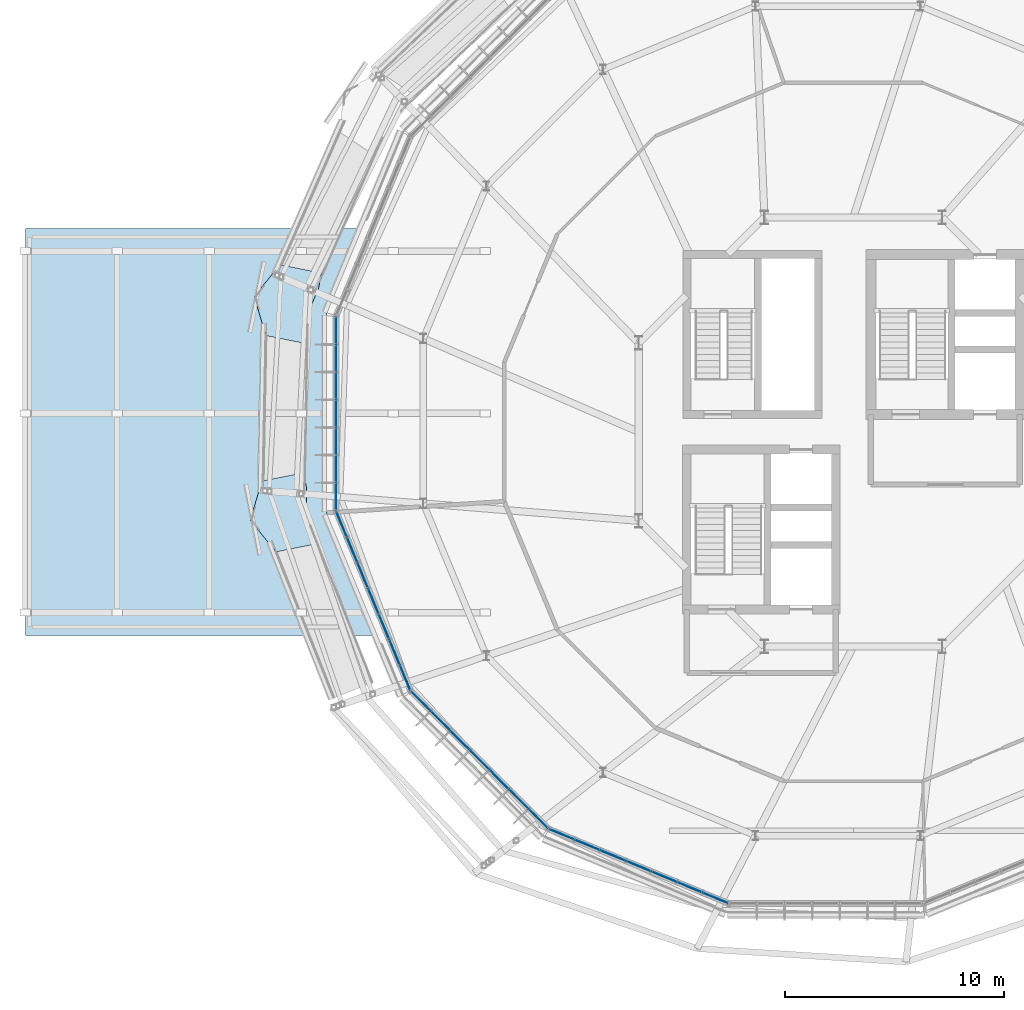
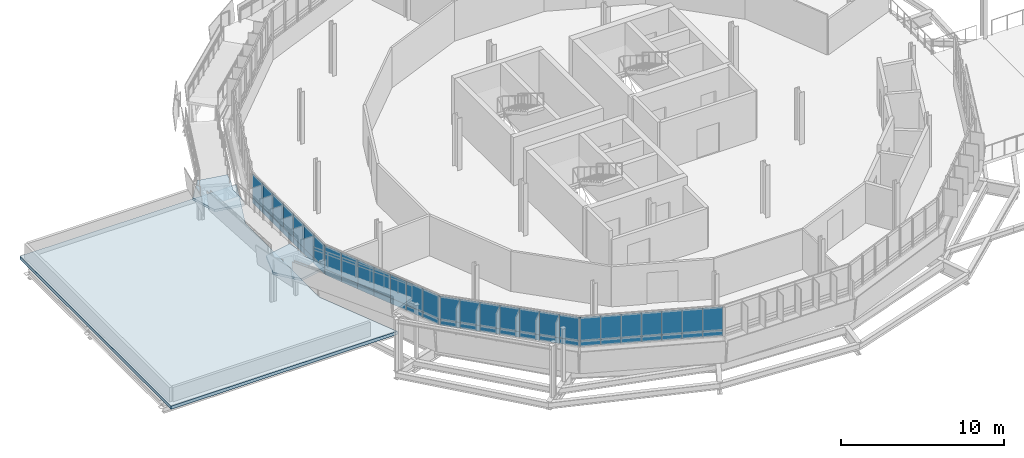
# One storey, part 40 of 61: 56 plates, 3 slabs, 6 elements without a shape of their own.
"""IFC4 building model written with IfcOpenShell, lengths in metres."""

from ifc_helpers import new_model, si_unit, derived_unit, direction, frame, origin, origin_2d, place, context, subcontext, project, spatial, polyline, rectangle, outline, extrude, material, layer, layer_set, type_object, element, aggregate, save


model = new_model("IFC4")

# Units and contexts
model_context = context("Model", 3, precision=1e-05, world=origin(), true_north=direction((0.0, 1.0)))
body_context = subcontext(model_context, "Body", "Model", "MODEL_VIEW")
ifc_project = project(units=[si_unit("LENGTHUNIT", "METRE"), si_unit("AREAUNIT", "SQUARE_METRE"), si_unit("VOLUMEUNIT", "CUBIC_METRE"), si_unit("PLANEANGLEUNIT", "RADIAN"), si_unit("MASSUNIT", "GRAM", prefix="KILO"), derived_unit("THERMALTRANSMITTANCEUNIT", [(si_unit("MASSUNIT", "GRAM", prefix="KILO"), 1), (si_unit("TIMEUNIT", "SECOND"), -3), (si_unit("THERMODYNAMICTEMPERATUREUNIT", "KELVIN"), -1)])], contexts=[model_context])

# Site, building, storey
site_placement = place(None, origin())
site = spatial("IfcSite", under=ifc_project, at=site_placement, CompositionType="ELEMENT")
building_placement = place(site_placement, origin())
building = spatial("IfcBuilding", under=site, at=building_placement, Name="Makaiwela Harbour Ferry Terminal", CompositionType="ELEMENT")
storey_placement = place(building_placement, frame((0.0, 0.0, 13.800048828125)))
storey = spatial("IfcBuildingStorey", under=building, at=storey_placement, Name="L03", CompositionType="ELEMENT", Elevation=13.800048828125)

# Curtain wall, plates
ifc_material_1 = material(Name="Marine anodised aluminium 6063-T6", Category="aluminium")
ifc_layer_1 = layer(ifc_material_1, 0.199951171875)
ifc_layer_set_1 = layer_set([ifc_layer_1], Name="Marine anodised aluminium 6063-T6")
curtain_wall_type = type_object("IfcCurtainWallType", Name="ENV-CW-05", PredefinedType="USERDEFINED", material=ifc_layer_set_1)
curtain_wall_1_placement = place(storey_placement, origin())
curtain_wall_1 = element("IfcCurtainWall", 1, at=curtain_wall_1_placement, inside=storey, type_object=curtain_wall_type, Name="Unitised Curtain Wall CWA-035", ObjectType="UNITIZED CURTAIN WALL", PredefinedType="USERDEFINED")
ifc_material_2 = material(Name="Laminated hurricane-impact low-E insulated glazing", Category="glass")
ifc_layer_2 = layer(ifc_material_2, 0.031982421875)
ifc_layer_set_2 = layer_set([ifc_layer_2], Name="Laminated hurricane-impact low-E insulated glazing")
plate_type_1 = type_object("IfcPlateType", Name="CW-PNL-G08", PredefinedType="CURTAIN_PANEL", material=ifc_layer_set_2)
plate_1_placement = place(storey_placement, frame((14.18798828125, 72.226806640625, 1.89990234375), z_axis=(0.0, 0.0, 1.0), x_axis=(0.0, -1.0, 0.0)))
plate_1 = element("IfcPlate", 2, at=plate_1_placement, type_object=plate_type_1, Name="Glazed Vision Panel CWA-035-1G", PredefinedType="CURTAIN_PANEL", context=body_context, shape_type="SweptSolid", body=[
    extrude(rectangle(XDim=1.26220703125, YDim=0.031982421875, at=origin_2d()), origin(), (0.0, 0.0, 1.0), 1.760009765625),
])
plate_2_placement = place(storey_placement, frame((14.18798828125, 70.964599609375, 1.89990234375), z_axis=(0.0, 0.0, 1.0), x_axis=(0.0, -1.0, 0.0)))
plate_2 = element("IfcPlate", 3, at=plate_2_placement, type_object=plate_type_1, Name="Glazed Vision Panel CWA-035-2G", PredefinedType="CURTAIN_PANEL", context=body_context, shape_type="SweptSolid", body=[
    extrude(rectangle(XDim=1.26220703125, YDim=0.031982421875, at=origin_2d()), origin(), (0.0, 0.0, 1.0), 1.760009765625),
])
plate_3_placement = place(storey_placement, frame((14.18798828125, 69.702392578125, 1.89990234375), z_axis=(0.0, 0.0, 1.0), x_axis=(0.0, -1.0, 0.0)))
plate_3 = element("IfcPlate", 4, at=plate_3_placement, type_object=plate_type_1, Name="Glazed Vision Panel CWA-035-3G", PredefinedType="CURTAIN_PANEL", context=body_context, shape_type="SweptSolid", body=[
    extrude(rectangle(XDim=1.26220703125, YDim=0.031982421875, at=origin_2d()), origin(), (0.0, 0.0, 1.0), 1.760009765625),
])
plate_4_placement = place(storey_placement, frame((14.18798828125, 68.43994140625, 1.89990234375), z_axis=(0.0, 0.0, 1.0), x_axis=(0.0, -1.0, 0.0)))
plate_4 = element("IfcPlate", 5, at=plate_4_placement, type_object=plate_type_1, Name="Glazed Vision Panel CWA-035-4G", PredefinedType="CURTAIN_PANEL", context=body_context, shape_type="SweptSolid", body=[
    extrude(rectangle(XDim=1.26220703125, YDim=0.031982421875, at=origin_2d()), origin(), (0.0, 0.0, 1.0), 1.760009765625),
])
plate_5_placement = place(storey_placement, frame((14.18798828125, 67.177734375, 1.89990234375), z_axis=(0.0, 0.0, 1.0), x_axis=(0.0, -1.0, 0.0)))
plate_5 = element("IfcPlate", 6, at=plate_5_placement, type_object=plate_type_1, Name="Glazed Vision Panel CWA-035-5G", PredefinedType="CURTAIN_PANEL", context=body_context, shape_type="SweptSolid", body=[
    extrude(rectangle(XDim=1.26220703125, YDim=0.031982421875, at=origin_2d()), origin(), (0.0, 0.0, 1.0), 1.760009765625),
])
plate_6_placement = place(storey_placement, frame((14.18798828125, 65.915283203125, 1.89990234375), z_axis=(0.0, 0.0, 1.0), x_axis=(0.0, -1.0, 0.0)))
plate_6 = element("IfcPlate", 7, at=plate_6_placement, type_object=plate_type_1, Name="Glazed Vision Panel CWA-035-6G", PredefinedType="CURTAIN_PANEL", context=body_context, shape_type="SweptSolid", body=[
    extrude(rectangle(XDim=1.26220703125, YDim=0.031982421875, at=origin_2d()), origin(), (0.0, 0.0, 1.0), 1.760009765625),
])
plate_7_placement = place(storey_placement, frame((14.18798828125, 64.653076171875, 1.89990234375), z_axis=(0.0, 0.0, 1.0), x_axis=(0.0, -1.0, 0.0)))
plate_7 = element("IfcPlate", 8, at=plate_7_placement, type_object=plate_type_1, Name="Glazed Vision Panel CWA-035-7G", PredefinedType="CURTAIN_PANEL", context=body_context, shape_type="SweptSolid", body=[
    extrude(rectangle(XDim=1.26220703125, YDim=0.031982421875, at=origin_2d()), origin(), (0.0, 0.0, 1.0), 1.760009765625),
])

curtain_wall_2_placement = place(storey_placement, origin())
curtain_wall_2 = element("IfcCurtainWall", 9, at=curtain_wall_2_placement, inside=storey, type_object=curtain_wall_type, Name="Unitised Curtain Wall CWA-036", ObjectType="UNITIZED CURTAIN WALL", PredefinedType="USERDEFINED")
plate_8_placement = place(storey_placement, frame((14.441162109375, 63.381103515625, 1.89990234375), z_axis=(0.0, 0.0, 1.0), x_axis=(0.382683432365, -0.923879532511, 0.0)))
plate_8 = element("IfcPlate", 10, at=plate_8_placement, type_object=plate_type_1, Name="Glazed Vision Panel CWA-036-1G", PredefinedType="CURTAIN_PANEL", context=body_context, shape_type="SweptSolid", body=[
    extrude(rectangle(XDim=1.26220703125, YDim=0.031982421875, at=origin_2d()), origin(), (0.0, 0.0, 1.0), 1.760009765625),
])
plate_9_placement = place(storey_placement, frame((14.92431640625, 62.21484375, 1.89990234375), z_axis=(0.0, 0.0, 1.0), x_axis=(0.382683432365, -0.923879532511, 0.0)))
plate_9 = element("IfcPlate", 11, at=plate_9_placement, type_object=plate_type_1, Name="Glazed Vision Panel CWA-036-2G", PredefinedType="CURTAIN_PANEL", context=body_context, shape_type="SweptSolid", body=[
    extrude(rectangle(XDim=1.26220703125, YDim=0.031982421875, at=origin_2d()), origin(), (0.0, 0.0, 1.0), 1.760009765625),
])
plate_10_placement = place(storey_placement, frame((15.4072265625, 61.048583984375, 1.89990234375), z_axis=(0.0, 0.0, 1.0), x_axis=(0.382683432365, -0.923879532511, 0.0)))
plate_10 = element("IfcPlate", 12, at=plate_10_placement, type_object=plate_type_1, Name="Glazed Vision Panel CWA-036-3G", PredefinedType="CURTAIN_PANEL", context=body_context, shape_type="SweptSolid", body=[
    extrude(rectangle(XDim=1.26220703125, YDim=0.031982421875, at=origin_2d()), origin(), (0.0, 0.0, 1.0), 1.760009765625),
])
plate_11_placement = place(storey_placement, frame((15.890380859375, 59.88232421875, 1.89990234375), z_axis=(0.0, 0.0, 1.0), x_axis=(0.382683432365, -0.923879532511, 0.0)))
plate_11 = element("IfcPlate", 13, at=plate_11_placement, type_object=plate_type_1, Name="Glazed Vision Panel CWA-036-4G", PredefinedType="CURTAIN_PANEL", context=body_context, shape_type="SweptSolid", body=[
    extrude(rectangle(XDim=1.26220703125, YDim=0.031982421875, at=origin_2d()), origin(), (0.0, 0.0, 1.0), 1.760009765625),
])
plate_12_placement = place(storey_placement, frame((16.373291015625, 58.71630859375, 1.89990234375), z_axis=(0.0, 0.0, 1.0), x_axis=(0.382683432365, -0.923879532511, 0.0)))
plate_12 = element("IfcPlate", 14, at=plate_12_placement, type_object=plate_type_1, Name="Glazed Vision Panel CWA-036-5G", PredefinedType="CURTAIN_PANEL", context=body_context, shape_type="SweptSolid", body=[
    extrude(rectangle(XDim=1.26220703125, YDim=0.031982421875, at=origin_2d()), origin(), (0.0, 0.0, 1.0), 1.760009765625),
])
plate_13_placement = place(storey_placement, frame((16.8564453125, 57.550048828125, 1.89990234375), z_axis=(0.0, 0.0, 1.0), x_axis=(0.382683432365, -0.923879532511, 0.0)))
plate_13 = element("IfcPlate", 15, at=plate_13_placement, type_object=plate_type_1, Name="Glazed Vision Panel CWA-036-6G", PredefinedType="CURTAIN_PANEL", context=body_context, shape_type="SweptSolid", body=[
    extrude(rectangle(XDim=1.26220703125, YDim=0.031982421875, at=origin_2d()), origin(), (0.0, 0.0, 1.0), 1.760009765625),
])
plate_14_placement = place(storey_placement, frame((17.339599609375, 56.3837890625, 1.89990234375), z_axis=(0.0, 0.0, 1.0), x_axis=(0.382683432365, -0.923879532511, 0.0)))
plate_14 = element("IfcPlate", 16, at=plate_14_placement, type_object=plate_type_1, Name="Glazed Vision Panel CWA-036-7G", PredefinedType="CURTAIN_PANEL", context=body_context, shape_type="SweptSolid", body=[
    extrude(rectangle(XDim=1.26220703125, YDim=0.031982421875, at=origin_2d()), origin(), (0.0, 0.0, 1.0), 1.760009765625),
])

curtain_wall_3_placement = place(storey_placement, origin())
curtain_wall_3 = element("IfcCurtainWall", 17, at=curtain_wall_3_placement, inside=storey, type_object=curtain_wall_type, Name="Unitised Curtain Wall CWA-037", ObjectType="UNITIZED CURTAIN WALL", PredefinedType="USERDEFINED")
plate_15_placement = place(storey_placement, frame((18.06005859375, 55.305419921875, 1.89990234375), z_axis=(0.0, 0.0, 1.0), x_axis=(0.707106781187, -0.707106781187, 0.0)))
plate_15 = element("IfcPlate", 18, at=plate_15_placement, type_object=plate_type_1, Name="Glazed Vision Panel CWA-037-1G", PredefinedType="CURTAIN_PANEL", context=body_context, shape_type="SweptSolid", body=[
    extrude(rectangle(XDim=1.26220703125, YDim=0.031982421875, at=origin_2d()), origin(), (0.0, 0.0, 1.0), 1.760009765625),
])
plate_16_placement = place(storey_placement, frame((18.95263671875, 54.412841796875, 1.89990234375), z_axis=(0.0, 0.0, 1.0), x_axis=(0.707106781187, -0.707106781187, 0.0)))
plate_16 = element("IfcPlate", 19, at=plate_16_placement, type_object=plate_type_1, Name="Glazed Vision Panel CWA-037-2G", PredefinedType="CURTAIN_PANEL", context=body_context, shape_type="SweptSolid", body=[
    extrude(rectangle(XDim=1.26220703125, YDim=0.031982421875, at=origin_2d()), origin(), (0.0, 0.0, 1.0), 1.760009765625),
])
plate_17_placement = place(storey_placement, frame((19.84521484375, 53.520263671875, 1.89990234375), z_axis=(0.0, 0.0, 1.0), x_axis=(0.707106781187, -0.707106781187, 0.0)))
plate_17 = element("IfcPlate", 20, at=plate_17_placement, type_object=plate_type_1, Name="Glazed Vision Panel CWA-037-3G", PredefinedType="CURTAIN_PANEL", context=body_context, shape_type="SweptSolid", body=[
    extrude(rectangle(XDim=1.26220703125, YDim=0.031982421875, at=origin_2d()), origin(), (0.0, 0.0, 1.0), 1.760009765625),
])
plate_18_placement = place(storey_placement, frame((20.73779296875, 52.627685546875, 1.89990234375), z_axis=(0.0, 0.0, 1.0), x_axis=(0.707106781187, -0.707106781187, 0.0)))
plate_18 = element("IfcPlate", 21, at=plate_18_placement, type_object=plate_type_1, Name="Glazed Vision Panel CWA-037-4G", PredefinedType="CURTAIN_PANEL", context=body_context, shape_type="SweptSolid", body=[
    extrude(rectangle(XDim=1.26220703125, YDim=0.031982421875, at=origin_2d()), origin(), (0.0, 0.0, 1.0), 1.760009765625),
])
plate_19_placement = place(storey_placement, frame((21.63037109375, 51.735107421875, 1.89990234375), z_axis=(0.0, 0.0, 1.0), x_axis=(0.707106781187, -0.707106781187, 0.0)))
plate_19 = element("IfcPlate", 22, at=plate_19_placement, type_object=plate_type_1, Name="Glazed Vision Panel CWA-037-5G", PredefinedType="CURTAIN_PANEL", context=body_context, shape_type="SweptSolid", body=[
    extrude(rectangle(XDim=1.26220703125, YDim=0.031982421875, at=origin_2d()), origin(), (0.0, 0.0, 1.0), 1.760009765625),
])
plate_20_placement = place(storey_placement, frame((22.52294921875, 50.842529296875, 1.89990234375), z_axis=(0.0, 0.0, 1.0), x_axis=(0.707106781187, -0.707106781187, 0.0)))
plate_20 = element("IfcPlate", 23, at=plate_20_placement, type_object=plate_type_1, Name="Glazed Vision Panel CWA-037-6G", PredefinedType="CURTAIN_PANEL", context=body_context, shape_type="SweptSolid", body=[
    extrude(rectangle(XDim=1.26220703125, YDim=0.031982421875, at=origin_2d()), origin(), (0.0, 0.0, 1.0), 1.760009765625),
])
plate_21_placement = place(storey_placement, frame((23.41552734375, 49.949951171875, 1.89990234375), z_axis=(0.0, 0.0, 1.0), x_axis=(0.707106781187, -0.707106781187, 0.0)))
plate_21 = element("IfcPlate", 24, at=plate_21_placement, type_object=plate_type_1, Name="Glazed Vision Panel CWA-037-7G", PredefinedType="CURTAIN_PANEL", context=body_context, shape_type="SweptSolid", body=[
    extrude(rectangle(XDim=1.26220703125, YDim=0.031982421875, at=origin_2d()), origin(), (0.0, 0.0, 1.0), 1.760009765625),
])

curtain_wall_4_placement = place(storey_placement, origin())
curtain_wall_4 = element("IfcCurtainWall", 25, at=curtain_wall_4_placement, inside=storey, type_object=curtain_wall_type, Name="Unitised Curtain Wall CWA-038", ObjectType="UNITIZED CURTAIN WALL", PredefinedType="USERDEFINED")
plate_22_placement = place(storey_placement, frame((24.493896484375, 49.2294921875, 1.89990234375), z_axis=(0.0, 0.0, 1.0), x_axis=(0.923879532511, -0.382683432365, 0.0)))
plate_22 = element("IfcPlate", 26, at=plate_22_placement, type_object=plate_type_1, Name="Glazed Vision Panel CWA-038-1G", PredefinedType="CURTAIN_PANEL", context=body_context, shape_type="SweptSolid", body=[
    extrude(rectangle(XDim=1.26220703125, YDim=0.031982421875, at=origin_2d()), origin(), (0.0, 0.0, 1.0), 1.760009765625),
])
plate_23_placement = place(storey_placement, frame((25.659912109375, 48.746337890625, 1.89990234375), z_axis=(0.0, 0.0, 1.0), x_axis=(0.923879532511, -0.382683432365, 0.0)))
plate_23 = element("IfcPlate", 27, at=plate_23_placement, type_object=plate_type_1, Name="Glazed Vision Panel CWA-038-2G", PredefinedType="CURTAIN_PANEL", context=body_context, shape_type="SweptSolid", body=[
    extrude(rectangle(XDim=1.26220703125, YDim=0.031982421875, at=origin_2d()), origin(), (0.0, 0.0, 1.0), 1.760009765625),
])
plate_24_placement = place(storey_placement, frame((26.826171875, 48.263427734375, 1.89990234375), z_axis=(0.0, 0.0, 1.0), x_axis=(0.923879532511, -0.382683432365, 0.0)))
plate_24 = element("IfcPlate", 28, at=plate_24_placement, type_object=plate_type_1, Name="Glazed Vision Panel CWA-038-3G", PredefinedType="CURTAIN_PANEL", context=body_context, shape_type="SweptSolid", body=[
    extrude(rectangle(XDim=1.26220703125, YDim=0.031982421875, at=origin_2d()), origin(), (0.0, 0.0, 1.0), 1.760009765625),
])
plate_25_placement = place(storey_placement, frame((27.992431640625, 47.7802734375, 1.89990234375), z_axis=(0.0, 0.0, 1.0), x_axis=(0.923879532511, -0.382683432365, 0.0)))
plate_25 = element("IfcPlate", 29, at=plate_25_placement, type_object=plate_type_1, Name="Glazed Vision Panel CWA-038-4G", PredefinedType="CURTAIN_PANEL", context=body_context, shape_type="SweptSolid", body=[
    extrude(rectangle(XDim=1.26220703125, YDim=0.031982421875, at=origin_2d()), origin(), (0.0, 0.0, 1.0), 1.760009765625),
])
plate_26_placement = place(storey_placement, frame((29.15869140625, 47.297119140625, 1.89990234375), z_axis=(0.0, 0.0, 1.0), x_axis=(0.923879532511, -0.382683432365, 0.0)))
plate_26 = element("IfcPlate", 30, at=plate_26_placement, type_object=plate_type_1, Name="Glazed Vision Panel CWA-038-5G", PredefinedType="CURTAIN_PANEL", context=body_context, shape_type="SweptSolid", body=[
    extrude(rectangle(XDim=1.26220703125, YDim=0.031982421875, at=origin_2d()), origin(), (0.0, 0.0, 1.0), 1.760009765625),
])
plate_27_placement = place(storey_placement, frame((30.324951171875, 46.814208984375, 1.89990234375), z_axis=(0.0, 0.0, 1.0), x_axis=(0.923879532511, -0.382683432365, 0.0)))
plate_27 = element("IfcPlate", 31, at=plate_27_placement, type_object=plate_type_1, Name="Glazed Vision Panel CWA-038-6G", PredefinedType="CURTAIN_PANEL", context=body_context, shape_type="SweptSolid", body=[
    extrude(rectangle(XDim=1.26220703125, YDim=0.031982421875, at=origin_2d()), origin(), (0.0, 0.0, 1.0), 1.760009765625),
])
plate_28_placement = place(storey_placement, frame((31.4912109375, 46.3310546875, 1.89990234375), z_axis=(0.0, 0.0, 1.0), x_axis=(0.923879532511, -0.382683432365, 0.0)))
plate_28 = element("IfcPlate", 32, at=plate_28_placement, type_object=plate_type_1, Name="Glazed Vision Panel CWA-038-7G", PredefinedType="CURTAIN_PANEL", context=body_context, shape_type="SweptSolid", body=[
    extrude(rectangle(XDim=1.26220703125, YDim=0.031982421875, at=origin_2d()), origin(), (0.0, 0.0, 1.0), 1.760009765625),
])

# Plate
ifc_material_3 = material(Name="Insulated marine aluminium spandrel panel", Category="aluminium")
ifc_layer_3 = layer(ifc_material_3, 0.048095703125)
ifc_layer_set_3 = layer_set([ifc_layer_3], Name="Insulated marine aluminium spandrel panel")
plate_type_2 = type_object("IfcPlateType", Name="CW-PNL-S07", PredefinedType="CURTAIN_PANEL", material=ifc_layer_set_3)
plate_29_placement = place(storey_placement, frame((14.18798828125, 72.226806640625, 1.47998046875), z_axis=(0.0, 0.0, 1.0), x_axis=(0.0, -1.0, 0.0)))
plate_29 = element("IfcPlate", 33, at=plate_29_placement, type_object=plate_type_2, Name="Spandrel Panel CWA-035-1S", PredefinedType="CURTAIN_PANEL", context=body_context, shape_type="SweptSolid", body=[
    extrude(rectangle(XDim=1.26220703125, YDim=0.048095703125, at=origin_2d()), origin(), (0.0, 0.0, 1.0), 0.419921875),
])

plate_30_placement = place(storey_placement, frame((14.18798828125, 70.964599609375, 1.47998046875), z_axis=(0.0, 0.0, 1.0), x_axis=(0.0, -1.0, 0.0)))
plate_30 = element("IfcPlate", 34, at=plate_30_placement, type_object=plate_type_2, Name="Spandrel Panel CWA-035-2S", PredefinedType="CURTAIN_PANEL", context=body_context, shape_type="SweptSolid", body=[
    extrude(rectangle(XDim=1.26220703125, YDim=0.048095703125, at=origin_2d()), origin(), (0.0, 0.0, 1.0), 0.419921875),
])

plate_31_placement = place(storey_placement, frame((14.18798828125, 69.702392578125, 1.47998046875), z_axis=(0.0, 0.0, 1.0), x_axis=(0.0, -1.0, 0.0)))
plate_31 = element("IfcPlate", 35, at=plate_31_placement, type_object=plate_type_2, Name="Spandrel Panel CWA-035-3S", PredefinedType="CURTAIN_PANEL", context=body_context, shape_type="SweptSolid", body=[
    extrude(rectangle(XDim=1.26220703125, YDim=0.048095703125, at=origin_2d()), origin(), (0.0, 0.0, 1.0), 0.419921875),
])

plate_32_placement = place(storey_placement, frame((14.18798828125, 68.43994140625, 1.47998046875), z_axis=(0.0, 0.0, 1.0), x_axis=(0.0, -1.0, 0.0)))
plate_32 = element("IfcPlate", 36, at=plate_32_placement, type_object=plate_type_2, Name="Spandrel Panel CWA-035-4S", PredefinedType="CURTAIN_PANEL", context=body_context, shape_type="SweptSolid", body=[
    extrude(rectangle(XDim=1.26220703125, YDim=0.048095703125, at=origin_2d()), origin(), (0.0, 0.0, 1.0), 0.419921875),
])

plate_33_placement = place(storey_placement, frame((14.18798828125, 67.177734375, 1.47998046875), z_axis=(0.0, 0.0, 1.0), x_axis=(0.0, -1.0, 0.0)))
plate_33 = element("IfcPlate", 37, at=plate_33_placement, type_object=plate_type_2, Name="Spandrel Panel CWA-035-5S", PredefinedType="CURTAIN_PANEL", context=body_context, shape_type="SweptSolid", body=[
    extrude(rectangle(XDim=1.26220703125, YDim=0.048095703125, at=origin_2d()), origin(), (0.0, 0.0, 1.0), 0.419921875),
])

plate_34_placement = place(storey_placement, frame((14.18798828125, 65.915283203125, 1.47998046875), z_axis=(0.0, 0.0, 1.0), x_axis=(0.0, -1.0, 0.0)))
plate_34 = element("IfcPlate", 38, at=plate_34_placement, type_object=plate_type_2, Name="Spandrel Panel CWA-035-6S", PredefinedType="CURTAIN_PANEL", context=body_context, shape_type="SweptSolid", body=[
    extrude(rectangle(XDim=1.26220703125, YDim=0.048095703125, at=origin_2d()), origin(), (0.0, 0.0, 1.0), 0.419921875),
])

plate_35_placement = place(storey_placement, frame((14.18798828125, 64.653076171875, 1.47998046875), z_axis=(0.0, 0.0, 1.0), x_axis=(0.0, -1.0, 0.0)))
plate_35 = element("IfcPlate", 39, at=plate_35_placement, type_object=plate_type_2, Name="Spandrel Panel CWA-035-7S", PredefinedType="CURTAIN_PANEL", context=body_context, shape_type="SweptSolid", body=[
    extrude(rectangle(XDim=1.26220703125, YDim=0.048095703125, at=origin_2d()), origin(), (0.0, 0.0, 1.0), 0.419921875),
])

aggregate(curtain_wall_1, [plate_29, plate_1, plate_30, plate_2, plate_31, plate_3, plate_32, plate_4, plate_33, plate_5, plate_34, plate_6, plate_35, plate_7])

plate_36_placement = place(storey_placement, frame((14.441162109375, 63.381103515625, 1.47998046875), z_axis=(0.0, 0.0, 1.0), x_axis=(0.382683432365, -0.923879532511, 0.0)))
plate_36 = element("IfcPlate", 40, at=plate_36_placement, type_object=plate_type_2, Name="Spandrel Panel CWA-036-1S", PredefinedType="CURTAIN_PANEL", context=body_context, shape_type="SweptSolid", body=[
    extrude(rectangle(XDim=1.26220703125, YDim=0.048095703125, at=origin_2d()), origin(), (0.0, 0.0, 1.0), 0.419921875),
])

plate_37_placement = place(storey_placement, frame((14.92431640625, 62.21484375, 1.47998046875), z_axis=(0.0, 0.0, 1.0), x_axis=(0.382683432365, -0.923879532511, 0.0)))
plate_37 = element("IfcPlate", 41, at=plate_37_placement, type_object=plate_type_2, Name="Spandrel Panel CWA-036-2S", PredefinedType="CURTAIN_PANEL", context=body_context, shape_type="SweptSolid", body=[
    extrude(rectangle(XDim=1.26220703125, YDim=0.048095703125, at=origin_2d()), origin(), (0.0, 0.0, 1.0), 0.419921875),
])

plate_38_placement = place(storey_placement, frame((15.4072265625, 61.048583984375, 1.47998046875), z_axis=(0.0, 0.0, 1.0), x_axis=(0.382683432365, -0.923879532511, 0.0)))
plate_38 = element("IfcPlate", 42, at=plate_38_placement, type_object=plate_type_2, Name="Spandrel Panel CWA-036-3S", PredefinedType="CURTAIN_PANEL", context=body_context, shape_type="SweptSolid", body=[
    extrude(rectangle(XDim=1.26220703125, YDim=0.048095703125, at=origin_2d()), origin(), (0.0, 0.0, 1.0), 0.419921875),
])

plate_39_placement = place(storey_placement, frame((15.890380859375, 59.88232421875, 1.47998046875), z_axis=(0.0, 0.0, 1.0), x_axis=(0.382683432365, -0.923879532511, 0.0)))
plate_39 = element("IfcPlate", 43, at=plate_39_placement, type_object=plate_type_2, Name="Spandrel Panel CWA-036-4S", PredefinedType="CURTAIN_PANEL", context=body_context, shape_type="SweptSolid", body=[
    extrude(rectangle(XDim=1.26220703125, YDim=0.048095703125, at=origin_2d()), origin(), (0.0, 0.0, 1.0), 0.419921875),
])

plate_40_placement = place(storey_placement, frame((16.373291015625, 58.71630859375, 1.47998046875), z_axis=(0.0, 0.0, 1.0), x_axis=(0.382683432365, -0.923879532511, 0.0)))
plate_40 = element("IfcPlate", 44, at=plate_40_placement, type_object=plate_type_2, Name="Spandrel Panel CWA-036-5S", PredefinedType="CURTAIN_PANEL", context=body_context, shape_type="SweptSolid", body=[
    extrude(rectangle(XDim=1.26220703125, YDim=0.048095703125, at=origin_2d()), origin(), (0.0, 0.0, 1.0), 0.419921875),
])

plate_41_placement = place(storey_placement, frame((16.8564453125, 57.550048828125, 1.47998046875), z_axis=(0.0, 0.0, 1.0), x_axis=(0.382683432365, -0.923879532511, 0.0)))
plate_41 = element("IfcPlate", 45, at=plate_41_placement, type_object=plate_type_2, Name="Spandrel Panel CWA-036-6S", PredefinedType="CURTAIN_PANEL", context=body_context, shape_type="SweptSolid", body=[
    extrude(rectangle(XDim=1.26220703125, YDim=0.048095703125, at=origin_2d()), origin(), (0.0, 0.0, 1.0), 0.419921875),
])

plate_42_placement = place(storey_placement, frame((17.339599609375, 56.3837890625, 1.47998046875), z_axis=(0.0, 0.0, 1.0), x_axis=(0.382683432365, -0.923879532511, 0.0)))
plate_42 = element("IfcPlate", 46, at=plate_42_placement, type_object=plate_type_2, Name="Spandrel Panel CWA-036-7S", PredefinedType="CURTAIN_PANEL", context=body_context, shape_type="SweptSolid", body=[
    extrude(rectangle(XDim=1.26220703125, YDim=0.048095703125, at=origin_2d()), origin(), (0.0, 0.0, 1.0), 0.419921875),
])

aggregate(curtain_wall_2, [plate_36, plate_8, plate_37, plate_9, plate_38, plate_10, plate_39, plate_11, plate_40, plate_12, plate_41, plate_13, plate_42, plate_14])

plate_43_placement = place(storey_placement, frame((18.06005859375, 55.305419921875, 1.47998046875), z_axis=(0.0, 0.0, 1.0), x_axis=(0.707106781187, -0.707106781187, 0.0)))
plate_43 = element("IfcPlate", 47, at=plate_43_placement, type_object=plate_type_2, Name="Spandrel Panel CWA-037-1S", PredefinedType="CURTAIN_PANEL", context=body_context, shape_type="SweptSolid", body=[
    extrude(rectangle(XDim=1.26220703125, YDim=0.048095703125, at=origin_2d()), origin(), (0.0, 0.0, 1.0), 0.419921875),
])

plate_44_placement = place(storey_placement, frame((18.95263671875, 54.412841796875, 1.47998046875), z_axis=(0.0, 0.0, 1.0), x_axis=(0.707106781187, -0.707106781187, 0.0)))
plate_44 = element("IfcPlate", 48, at=plate_44_placement, type_object=plate_type_2, Name="Spandrel Panel CWA-037-2S", PredefinedType="CURTAIN_PANEL", context=body_context, shape_type="SweptSolid", body=[
    extrude(rectangle(XDim=1.26220703125, YDim=0.048095703125, at=origin_2d()), origin(), (0.0, 0.0, 1.0), 0.419921875),
])

plate_45_placement = place(storey_placement, frame((19.84521484375, 53.520263671875, 1.47998046875), z_axis=(0.0, 0.0, 1.0), x_axis=(0.707106781187, -0.707106781187, 0.0)))
plate_45 = element("IfcPlate", 49, at=plate_45_placement, type_object=plate_type_2, Name="Spandrel Panel CWA-037-3S", PredefinedType="CURTAIN_PANEL", context=body_context, shape_type="SweptSolid", body=[
    extrude(rectangle(XDim=1.26220703125, YDim=0.048095703125, at=origin_2d()), origin(), (0.0, 0.0, 1.0), 0.419921875),
])

plate_46_placement = place(storey_placement, frame((20.73779296875, 52.627685546875, 1.47998046875), z_axis=(0.0, 0.0, 1.0), x_axis=(0.707106781187, -0.707106781187, 0.0)))
plate_46 = element("IfcPlate", 50, at=plate_46_placement, type_object=plate_type_2, Name="Spandrel Panel CWA-037-4S", PredefinedType="CURTAIN_PANEL", context=body_context, shape_type="SweptSolid", body=[
    extrude(rectangle(XDim=1.26220703125, YDim=0.048095703125, at=origin_2d()), origin(), (0.0, 0.0, 1.0), 0.419921875),
])

plate_47_placement = place(storey_placement, frame((21.63037109375, 51.735107421875, 1.47998046875), z_axis=(0.0, 0.0, 1.0), x_axis=(0.707106781187, -0.707106781187, 0.0)))
plate_47 = element("IfcPlate", 51, at=plate_47_placement, type_object=plate_type_2, Name="Spandrel Panel CWA-037-5S", PredefinedType="CURTAIN_PANEL", context=body_context, shape_type="SweptSolid", body=[
    extrude(rectangle(XDim=1.26220703125, YDim=0.048095703125, at=origin_2d()), origin(), (0.0, 0.0, 1.0), 0.419921875),
])

plate_48_placement = place(storey_placement, frame((22.52294921875, 50.842529296875, 1.47998046875), z_axis=(0.0, 0.0, 1.0), x_axis=(0.707106781187, -0.707106781187, 0.0)))
plate_48 = element("IfcPlate", 52, at=plate_48_placement, type_object=plate_type_2, Name="Spandrel Panel CWA-037-6S", PredefinedType="CURTAIN_PANEL", context=body_context, shape_type="SweptSolid", body=[
    extrude(rectangle(XDim=1.26220703125, YDim=0.048095703125, at=origin_2d()), origin(), (0.0, 0.0, 1.0), 0.419921875),
])

plate_49_placement = place(storey_placement, frame((23.41552734375, 49.949951171875, 1.47998046875), z_axis=(0.0, 0.0, 1.0), x_axis=(0.707106781187, -0.707106781187, 0.0)))
plate_49 = element("IfcPlate", 53, at=plate_49_placement, type_object=plate_type_2, Name="Spandrel Panel CWA-037-7S", PredefinedType="CURTAIN_PANEL", context=body_context, shape_type="SweptSolid", body=[
    extrude(rectangle(XDim=1.26220703125, YDim=0.048095703125, at=origin_2d()), origin(), (0.0, 0.0, 1.0), 0.419921875),
])

aggregate(curtain_wall_3, [plate_43, plate_15, plate_44, plate_16, plate_45, plate_17, plate_46, plate_18, plate_47, plate_19, plate_48, plate_20, plate_49, plate_21])

plate_50_placement = place(storey_placement, frame((24.493896484375, 49.2294921875, 1.47998046875), z_axis=(0.0, 0.0, 1.0), x_axis=(0.923879532511, -0.382683432365, 0.0)))
plate_50 = element("IfcPlate", 54, at=plate_50_placement, type_object=plate_type_2, Name="Spandrel Panel CWA-038-1S", PredefinedType="CURTAIN_PANEL", context=body_context, shape_type="SweptSolid", body=[
    extrude(rectangle(XDim=1.26220703125, YDim=0.048095703125, at=origin_2d()), origin(), (0.0, 0.0, 1.0), 0.419921875),
])

plate_51_placement = place(storey_placement, frame((25.659912109375, 48.746337890625, 1.47998046875), z_axis=(0.0, 0.0, 1.0), x_axis=(0.923879532511, -0.382683432365, 0.0)))
plate_51 = element("IfcPlate", 55, at=plate_51_placement, type_object=plate_type_2, Name="Spandrel Panel CWA-038-2S", PredefinedType="CURTAIN_PANEL", context=body_context, shape_type="SweptSolid", body=[
    extrude(rectangle(XDim=1.26220703125, YDim=0.048095703125, at=origin_2d()), origin(), (0.0, 0.0, 1.0), 0.419921875),
])

plate_52_placement = place(storey_placement, frame((26.826171875, 48.263427734375, 1.47998046875), z_axis=(0.0, 0.0, 1.0), x_axis=(0.923879532511, -0.382683432365, 0.0)))
plate_52 = element("IfcPlate", 56, at=plate_52_placement, type_object=plate_type_2, Name="Spandrel Panel CWA-038-3S", PredefinedType="CURTAIN_PANEL", context=body_context, shape_type="SweptSolid", body=[
    extrude(rectangle(XDim=1.26220703125, YDim=0.048095703125, at=origin_2d()), origin(), (0.0, 0.0, 1.0), 0.419921875),
])

plate_53_placement = place(storey_placement, frame((27.992431640625, 47.7802734375, 1.47998046875), z_axis=(0.0, 0.0, 1.0), x_axis=(0.923879532511, -0.382683432365, 0.0)))
plate_53 = element("IfcPlate", 57, at=plate_53_placement, type_object=plate_type_2, Name="Spandrel Panel CWA-038-4S", PredefinedType="CURTAIN_PANEL", context=body_context, shape_type="SweptSolid", body=[
    extrude(rectangle(XDim=1.26220703125, YDim=0.048095703125, at=origin_2d()), origin(), (0.0, 0.0, 1.0), 0.419921875),
])

plate_54_placement = place(storey_placement, frame((29.15869140625, 47.297119140625, 1.47998046875), z_axis=(0.0, 0.0, 1.0), x_axis=(0.923879532511, -0.382683432365, 0.0)))
plate_54 = element("IfcPlate", 58, at=plate_54_placement, type_object=plate_type_2, Name="Spandrel Panel CWA-038-5S", PredefinedType="CURTAIN_PANEL", context=body_context, shape_type="SweptSolid", body=[
    extrude(rectangle(XDim=1.26220703125, YDim=0.048095703125, at=origin_2d()), origin(), (0.0, 0.0, 1.0), 0.419921875),
])

plate_55_placement = place(storey_placement, frame((30.324951171875, 46.814208984375, 1.47998046875), z_axis=(0.0, 0.0, 1.0), x_axis=(0.923879532511, -0.382683432365, 0.0)))
plate_55 = element("IfcPlate", 59, at=plate_55_placement, type_object=plate_type_2, Name="Spandrel Panel CWA-038-6S", PredefinedType="CURTAIN_PANEL", context=body_context, shape_type="SweptSolid", body=[
    extrude(rectangle(XDim=1.26220703125, YDim=0.048095703125, at=origin_2d()), origin(), (0.0, 0.0, 1.0), 0.419921875),
])

plate_56_placement = place(storey_placement, frame((31.4912109375, 46.3310546875, 1.47998046875), z_axis=(0.0, 0.0, 1.0), x_axis=(0.923879532511, -0.382683432365, 0.0)))
plate_56 = element("IfcPlate", 60, at=plate_56_placement, type_object=plate_type_2, Name="Spandrel Panel CWA-038-7S", PredefinedType="CURTAIN_PANEL", context=body_context, shape_type="SweptSolid", body=[
    extrude(rectangle(XDim=1.26220703125, YDim=0.048095703125, at=origin_2d()), origin(), (0.0, 0.0, 1.0), 0.419921875),
])

aggregate(curtain_wall_4, [plate_50, plate_22, plate_51, plate_23, plate_52, plate_24, plate_53, plate_25, plate_54, plate_26, plate_55, plate_27, plate_56, plate_28])

# Ramp, slabs
ifc_material_4 = material(Name="Concrete f'c 35 MPa (5000 psi)", Category="concrete")
ramp_type = type_object("IfcRampType", Name="CIR-RMP-ASSY", PredefinedType="STRAIGHT_RUN_RAMP", material=ifc_material_4)
ramp_placement = place(storey_placement, origin())
ramp = element("IfcRamp", 61, at=ramp_placement, inside=storey, type_object=ramp_type, Name="External Coiled Promenade Ramp L03 to L04", PredefinedType="STRAIGHT_RUN_RAMP")
ifc_layer_4 = layer(ifc_material_4, 0.169921875)
ifc_layer_set_4 = layer_set([ifc_layer_4], Name="Concrete f'c 35 MPa (5000 psi)")
slab_type_1 = type_object("IfcSlabType", Name="SLB-LND-170", PredefinedType="LANDING", material=ifc_layer_set_4)
slab_1_placement = place(storey_placement, frame((0.0, 0.0, 2.429931640625)))
slab_1 = element("IfcSlab", 62, at=slab_1_placement, type_object=slab_type_1, Name="Promenade Ramp Landing RMP-COIL-L03-L4", PredefinedType="LANDING", context=body_context, shape_type="SweptSolid", body=[
    extrude(outline(polyline([(13.01904296875, 72.290283203125), (13.01904296875, 73.27392578125), (13.01904296875, 73.274169921875), (13.01904296875, 73.2744140625), (13.019287109375, 73.2744140625), (13.019287109375, 73.274658203125), (13.395751953125, 74.18359375), (13.529296875, 74.85498046875), (11.626708984375, 75.233642578125), (10.451416015625, 73.784912109375), (10.98291015625, 71.9970703125), (12.885498046875, 71.618408203125), (13.01904296875, 72.290283203125)])), origin(), (0.0, 0.0, 1.0), 0.169921875),
])
slab_2_placement = place(storey_placement, frame((0.0, 0.0, 3.079833984375)))
slab_2 = element("IfcSlab", 63, at=slab_2_placement, type_object=slab_type_1, Name="Promenade Ramp Landing RMP-COIL-L03-L5", PredefinedType="LANDING", context=body_context, shape_type="SweptSolid", body=[
    extrude(outline(polyline([(13.21435546875, 63.171875), (12.837890625, 64.080810546875), (12.837890625, 64.0810546875), (12.837646484375, 64.081298828125), (12.837646484375, 64.081298828125), (12.837646484375, 64.08154296875), (12.837646484375, 65.065185546875), (12.7041015625, 65.737060546875), (10.801513671875, 65.3583984375), (10.27001953125, 63.570556640625), (11.4453125, 62.121826171875), (13.347900390625, 62.50048828125), (13.21435546875, 63.171875)])), origin(), (0.0, 0.0, 1.0), 0.170166015625),
])
aggregate(ramp, [slab_1, slab_2])

# Roof, slab
ifc_material_5 = material(Name="Standing-seam marine zinc roofing", Category="aluminium")
ifc_layer_5 = layer(ifc_material_5, 0.219970703125)
ifc_layer_set_5 = layer_set([ifc_layer_5], Name="Standing-seam marine zinc roofing")
roof_type = type_object("IfcRoofType", Name="RF-FLAT-01", PredefinedType="FLAT_ROOF", material=ifc_layer_set_5)
roof_placement = place(storey_placement, origin())
roof = element("IfcRoof", 64, at=roof_placement, inside=storey, type_object=roof_type, Name="Roof Assembly RF-01", PredefinedType="FLAT_ROOF")
ifc_layer_6 = layer(ifc_material_4, 0.239990234375)
ifc_layer_set_6 = layer_set([ifc_layer_6], Name="Concrete f'c 35 MPa (5000 psi)")
slab_type_2 = type_object("IfcSlabType", Name="SLB-RF-240", PredefinedType="ROOF", material=ifc_layer_set_6)
slab_3_placement = place(storey_placement, frame((0.0, 0.0, -0.239990234375)))
slab_3 = element("IfcSlab", 65, at=slab_3_placement, type_object=slab_type_2, Name="Slab SLB-042", PredefinedType="ROOF", context=body_context, shape_type="SweptSolid", body=[
    extrude(outline(polyline([(16.0576171875, 58.320068359375), (13.74462890625, 63.904296875), (13.744873046875, 72.9765625), (15.36181640625, 76.8798828125), (0.0, 76.8798828125), (0.0, 58.320068359375), (16.0576171875, 58.320068359375)])), origin(), (0.0, 0.0, 1.0), 0.239990234375),
])
aggregate(roof, [slab_3])

save(model, "model.ifc")
